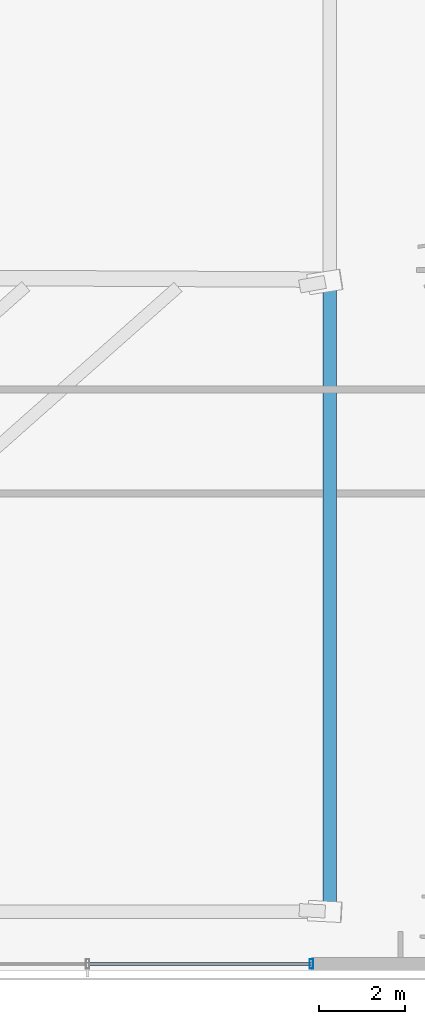
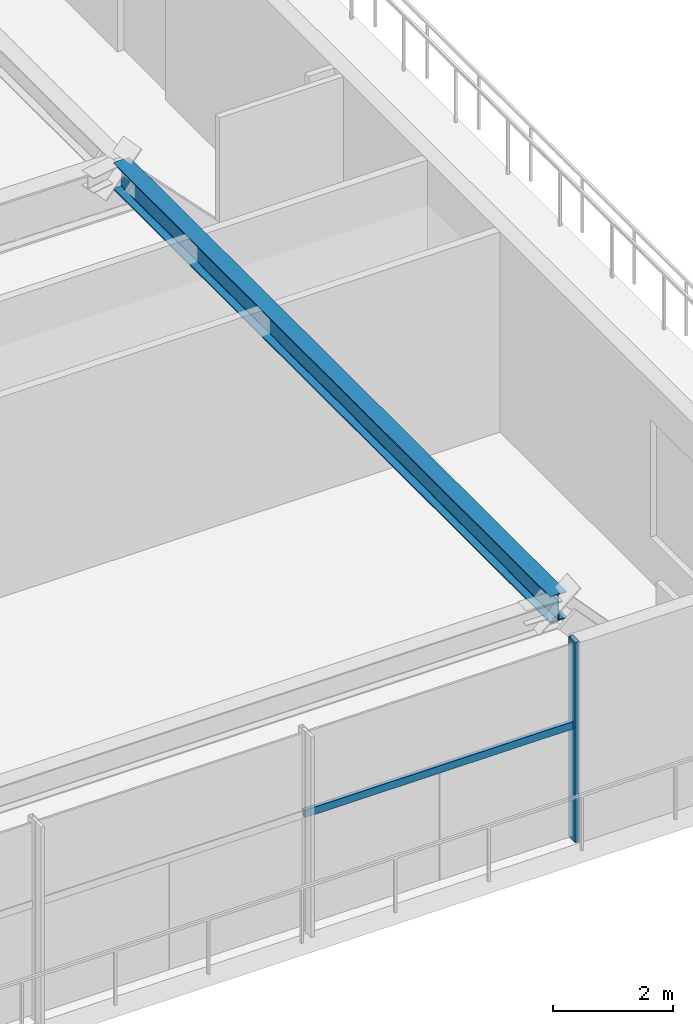
# One storey, part 20 of 33: 2 members, 1 beam, 1 element without a shape of its own.
"""IFC4 building model written with IfcOpenShell, lengths in metres."""

from ifc_helpers import new_model, si_unit, direction, frame, origin, origin_2d, place, context, subcontext, project, spatial, hollow_rectangle, i_section, extrude, source, transform, mapped, material, material_profile, profile_set, type_object, type_shapes, element, aggregate, save


model = new_model("IFC4")

# Units and contexts
model_context = context("Model", 3, precision=1e-05, world=origin(), true_north=direction((0.0, 1.0)))
body_context = subcontext(model_context, "Body", "Model", "MODEL_VIEW")
ifc_project = project(units=[si_unit("LENGTHUNIT", "METRE"), si_unit("AREAUNIT", "SQUARE_METRE"), si_unit("VOLUMEUNIT", "CUBIC_METRE"), si_unit("PLANEANGLEUNIT", "RADIAN"), si_unit("MASSUNIT", "GRAM", prefix="KILO")], contexts=[model_context])

# Site, building, storey
site_placement = place(None, origin())
site = spatial("IfcSite", under=ifc_project, at=site_placement, CompositionType="ELEMENT")
building_placement = place(site_placement, origin())
building = spatial("IfcBuilding", under=site, at=building_placement, Name="Astriad Promenade Condominiums", CompositionType="ELEMENT")
storey_placement = place(building_placement, frame((0.0, 0.0, 9.5)))
storey = spatial("IfcBuildingStorey", under=building, at=storey_placement, Name="L02", CompositionType="ELEMENT", Elevation=9.5)

# Beam
ifc_material_1 = material(Name="Steel ASTM A992 Grade 50", Category="steel")
ifc_material_profile_1 = material_profile(ifc_material_1, i_section(OverallWidth=0.3134765625, OverallDepth=0.54638671875, WebThickness=0.013916015625, FlangeThickness=0.022216796875, FilletRadius=0.0166015625, at=origin_2d()), Name="W21X111")
ifc_profile_set_1 = profile_set([ifc_material_profile_1], Name="Steel ASTM A992 Grade 50")
beam_type = type_object("IfcBeamType", Name="STEEL SPANDREL BEAM W21X111", PredefinedType="SPANDREL", material=ifc_profile_set_1)
shared_shape_1 = source(origin(), body_context, "Body", "SweptSolid", [
    extrude(i_section(OverallWidth=0.3134765625, OverallDepth=0.54638671875, WebThickness=0.013916015625, FlangeThickness=0.022216796875, FilletRadius=0.0166015625, at=origin_2d()), origin(), (0.0, 0.0, 1.0), 14.593505859375),
])
type_shapes(beam_type, [shared_shape_1])
beam_placement = place(storey_placement, frame((70.67431640625, 2.606689453125, 3.806884765625), z_axis=(1.6729402e-05, 0.99999999986, 0.0), x_axis=(-0.99999999986, 1.6729402e-05, 0.0)))
element("IfcBeam", 1, at=beam_placement, inside=storey, type_object=beam_type, Name="Perimeter Spandrel Beam SP-E1-L02", PredefinedType="SPANDREL", context=body_context, shape_type="MappedRepresentation", body=[
    mapped(shared_shape_1, transform((0.0, 0.0, 0.0), scale=1.0)),
])

# Curtain wall, members
ifc_material_2 = material(Name="Anodised aluminium Black Dark Glass Unitised", Category="aluminium")
curtain_wall_type = type_object("IfcCurtainWallType", Name="CW-POD-DARK", PredefinedType="USERDEFINED", material=ifc_material_2)
curtain_wall_placement = place(storey_placement, origin())
curtain_wall = element("IfcCurtainWall", 2, at=curtain_wall_placement, inside=storey, type_object=curtain_wall_type, Name="CW-L02-S", ObjectType="UNITISED_CURTAIN_WALL", PredefinedType="USERDEFINED")
ifc_material_3 = material(Name="Anodised aluminium 6063-T6 Black", Category="aluminium")
ifc_material_profile_2 = material_profile(ifc_material_3, hollow_rectangle(XDim=0.0849609375, YDim=0.219970703125, WallThickness=0.0048828125, at=origin_2d()), Name="ALU-MUL-85X220")
ifc_profile_set_2 = profile_set([ifc_material_profile_2], Name="Anodised aluminium 6063-T6 Black")
member_type_1 = type_object("IfcMemberType", Name="MUL-ALU-MUL-85X220", PredefinedType="MULLION", material=ifc_profile_set_2)
shared_shape_2 = source(origin(), body_context, "Body", "SweptSolid", [
    extrude(hollow_rectangle(XDim=0.0849609375, YDim=0.219970703125, WallThickness=0.0048828125, at=origin_2d()), origin(), (0.0, 0.0, 1.0), 4.080078125),
])
type_shapes(member_type_1, [shared_shape_2])
member_1_placement = place(storey_placement, frame((70.25, 1.35009765625, 0.0), z_axis=(0.0, 0.0, 1.0), x_axis=(1.0, 0.0, 0.0)))
member_1 = element("IfcMember", 3, at=member_1_placement, type_object=member_type_1, Name="CW-L02-S-MUL-00", PredefinedType="MULLION", context=body_context, shape_type="MappedRepresentation", body=[
    mapped(shared_shape_2, transform((0.0, 0.0, 0.0), scale=1.0)),
])
ifc_material_profile_3 = material_profile(ifc_material_3, hollow_rectangle(XDim=0.074951171875, YDim=0.14990234375, WallThickness=0.004150390625, at=origin_2d()), Name="ALU-TRN-75X150")
ifc_profile_set_3 = profile_set([ifc_material_profile_3], Name="Anodised aluminium 6063-T6 Black")
member_type_2 = type_object("IfcMemberType", Name="TRN-ALU-TRN-75X150", PredefinedType="USERDEFINED", material=ifc_profile_set_3)
shared_shape_3 = source(origin(), body_context, "Body", "SweptSolid", [
    extrude(hollow_rectangle(XDim=0.074951171875, YDim=0.14990234375, WallThickness=0.004150390625, at=origin_2d()), origin(), (0.0, 0.0, 1.0), 5.208251953125),
])
type_shapes(member_type_2, [shared_shape_3])
member_2_placement = place(storey_placement, frame((70.25, 1.35009765625, 2.35009765625), z_axis=(-1.0, 0.0, 0.0), x_axis=(0.0, -1.0, 0.0)))
member_2 = element("IfcMember", 4, at=member_2_placement, type_object=member_type_2, Name="CW-L02-S-TRN-00-0", ObjectType="TRANSOM", PredefinedType="USERDEFINED", context=body_context, shape_type="MappedRepresentation", body=[
    mapped(shared_shape_3, transform((0.0, 0.0, 0.0), scale=1.0)),
])
aggregate(curtain_wall, [member_1, member_2])

save(model, "model.ifc")
